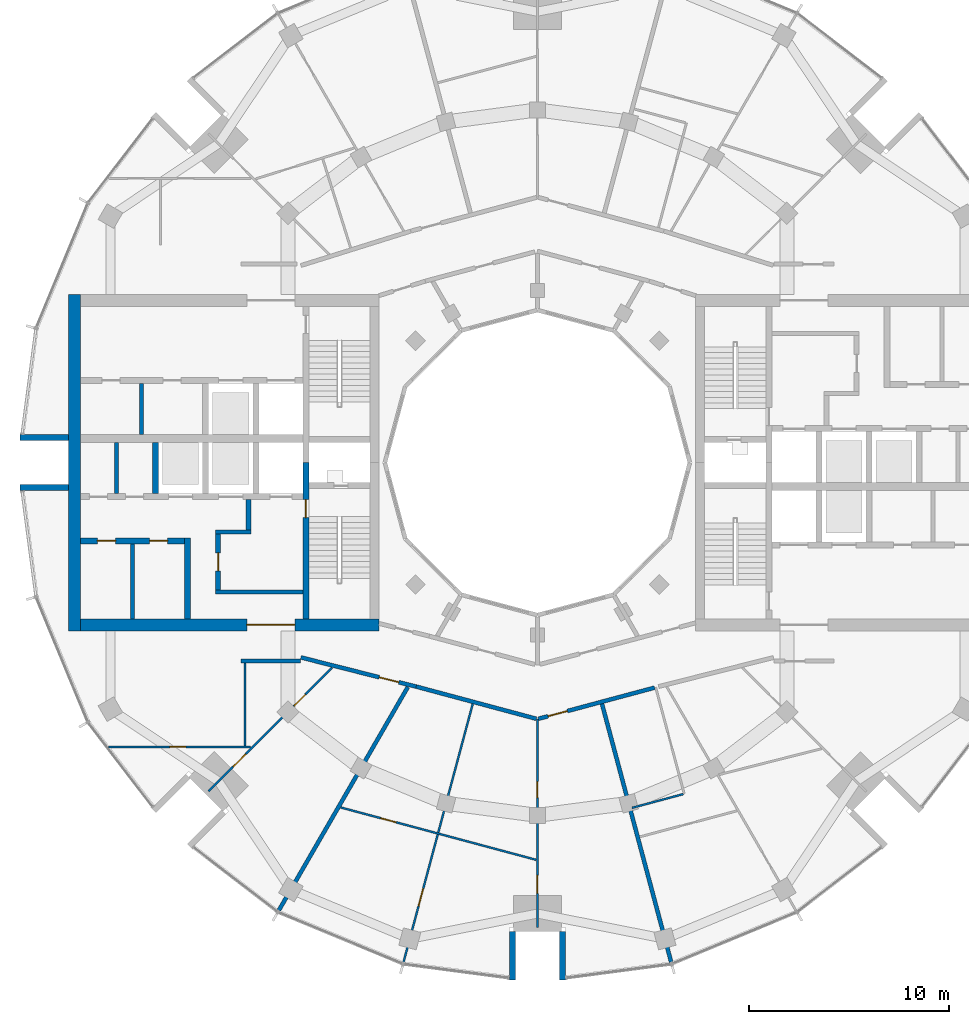
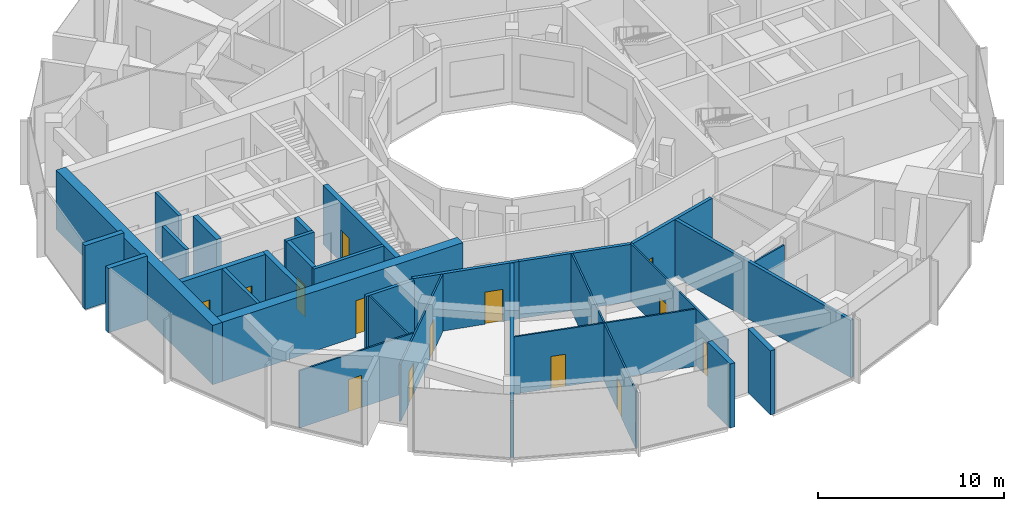
# One storey, part 8 of 15: 30 walls, 14 doors, 14 openings.
"""IFC4 building model written with IfcOpenShell, lengths in metres."""

from ifc_helpers import new_model, si_unit, direction, frame, frame_2d, origin, place, context, subcontext, project, spatial, rectangle, extrude, material, layer, layer_set, type_object, element, fill, save


model = new_model("IFC4")

# Units and contexts
model_context = context("Model", 3, precision=1e-05, world=origin(), true_north=direction((0.0, 1.0)))
body_context = subcontext(model_context, "Body", "Model", "MODEL_VIEW")
ifc_project = project(units=[si_unit("LENGTHUNIT", "METRE"), si_unit("AREAUNIT", "SQUARE_METRE"), si_unit("VOLUMEUNIT", "CUBIC_METRE"), si_unit("PLANEANGLEUNIT", "RADIAN"), si_unit("MASSUNIT", "GRAM", prefix="KILO")], contexts=[model_context])

# Site, building, storey
site_placement = place(None, origin())
site = spatial("IfcSite", under=ifc_project, at=site_placement, CompositionType="ELEMENT")
building_placement = place(site_placement, origin())
building = spatial("IfcBuilding", under=site, at=building_placement, Name="Torre Brocal", CompositionType="ELEMENT")
storey_placement = place(building_placement, frame((0.0, 0.0, 241.5)))
storey = spatial("IfcBuildingStorey", under=building, at=storey_placement, Name="L55", CompositionType="ELEMENT", Elevation=241.5)

# Walls
ifc_material_1 = material(Name="Masonry block", Category="masonry")
ifc_layer_1 = layer(ifc_material_1, 0.199951171875)
ifc_layer_set_1 = layer_set([ifc_layer_1], Name="Masonry block")
wall_type_1 = type_object("IfcWallType", Name="CORE PARTITION 200", PredefinedType="PARTITIONING", material=ifc_layer_set_1)
for number, where, z_axis, x_axis, name in (
    (1, (59.0, 76.0, 0.0), (0.0, 0.0, 1.0), (0.0, -1.0, 0.0), "Wall CP200"),
    (2, (60.25, 78.949951171875, 0.0), (0.0, 0.0, 1.0), (0.0, -1.0, 0.0), "Wall CP200"),
):
    element("IfcWall", number, at=place(storey_placement, frame(where, z_axis=z_axis, x_axis=x_axis)), inside=storey, type_object=wall_type_1, Name=name, PredefinedType="PARTITIONING", context=body_context, shape_type="SweptSolid", body=[
        extrude(rectangle(XDim=2.550048828125, YDim=0.199951171875, at=frame_2d((1.27490234375, 0.0))), origin(), (0.0, 0.0, 1.0), 3.8798828125),
    ])
wall_1_placement = place(storey_placement, frame((59.800048828125, 70.949951171875, 0.0), z_axis=(0.0, 0.0, 1.0), x_axis=(0.0, -1.0, 0.0)))
element("IfcWall", 3, at=wall_1_placement, inside=storey, type_object=wall_type_1, Name="Wall CP200", PredefinedType="PARTITIONING", context=body_context, shape_type="SweptSolid", body=[
    extrude(rectangle(XDim=3.75, YDim=0.199951171875, at=frame_2d((1.875, 0.0))), origin(), (0.0, 0.0, 1.0), 3.8798828125),
])
ifc_material_2 = material(Name="Concrete C60", Category="concrete")
ifc_layer_2 = layer(ifc_material_2, 0.199951171875)
ifc_layer_set_2 = layer_set([ifc_layer_2], Name="Concrete C60")
wall_type_2 = type_object("IfcWallType", Name="CORE WALL 200 C60", PredefinedType="SHEAR", material=ifc_layer_set_2)
wall_2_placement = place(storey_placement, frame((68.300048828125, 68.550048828125, 0.0), z_axis=(0.0, 0.0, 1.0), x_axis=(-1.0, 0.0, 0.0)))
element("IfcWall", 4, at=wall_2_placement, inside=storey, type_object=wall_type_2, Name="Wall CW200-60", PredefinedType="SHEAR", context=body_context, shape_type="SweptSolid", body=[
    extrude(rectangle(XDim=4.35009765625, YDim=0.199951171875, at=frame_2d((2.175048828125, 0.0))), origin(), (0.0, 0.0, 1.0), 3.8798828125),
])
wall_3_placement = place(storey_placement, frame((65.699951171875, 71.550048828125, 0.0), z_axis=(0.0, 0.0, 1.0), x_axis=(-1.0, 0.0, 0.0)))
element("IfcWall", 5, at=wall_3_placement, inside=storey, type_object=wall_type_2, Name="Wall CW200-60", PredefinedType="SHEAR", context=body_context, shape_type="SweptSolid", body=[
    extrude(rectangle(XDim=1.75, YDim=0.199951171875, at=frame_2d((0.875, 0.0))), origin(), (0.0, 0.0, 1.0), 3.8798828125),
])

# Wall, opening, door
ifc_material_3 = material(Name="Concrete C60", Category="concrete")
ifc_layer_3 = layer(ifc_material_3, 0.25)
ifc_layer_set_3 = layer_set([ifc_layer_3], Name="Concrete C60")
wall_type_3 = type_object("IfcWallType", Name="CORE WALL 250 C60", PredefinedType="SHEAR", material=ifc_layer_set_3)
wall_4_placement = place(storey_placement, frame((64.074951171875, 71.449951171875, 0.0), z_axis=(0.0, 0.0, 1.0), x_axis=(0.0, -1.0, 0.0)))
wall_4 = element("IfcWall", 6, at=wall_4_placement, inside=storey, type_object=wall_type_3, Name="Wall CW250-60", PredefinedType="SHEAR", context=body_context, shape_type="SweptSolid", body=[
    extrude(rectangle(XDim=2.800048828125, YDim=0.25, at=frame_2d((1.39990234375, 0.0))), origin(), (0.0, 0.0, 1.0), 3.8798828125),
])
opening_1_placement = place(wall_4_placement, frame((0.949951171875, 0.0, 0.0)))
opening_1 = element("IfcOpeningElement", 7, at=opening_1_placement, cuts=wall_4, Name="Opening W-D08", PredefinedType="OPENING", context=body_context, shape_type="SweptSolid", body=[
    extrude(rectangle(XDim=0.89990234375, YDim=2.10009765625, at=frame_2d((0.449951171875, 1.050048828125))), frame((0.0, 0.135009765625, 0.0), z_axis=(0.0, -1.0, 0.0), x_axis=(1.0, 0.0, 0.0)), (0.0, 0.0, 1.0), 0.27001953125),
])
ifc_material_4 = material(Name="Steel A653", Category="steel")
door_type_1 = type_object("IfcDoorType", Name="LOBBY DOOR FD120 900X2100", OperationType="SINGLE_SWING_RIGHT", PredefinedType="DOOR", material=ifc_material_4)
door_1_placement = place(opening_1_placement, origin())
door_1 = element("IfcDoor", 8, at=door_1_placement, inside=storey, type_object=door_type_1, Name="Door W-D08", OperationType="SINGLE_SWING_LEFT", OverallHeight=2.10009765625, OverallWidth=0.89990234375, PredefinedType="DOOR", context=body_context, shape_type="SweptSolid", body=[
    extrude(rectangle(XDim=0.89990234375, YDim=2.10009765625, at=frame_2d((0.449951171875, 1.050048828125))), frame((0.0, 0.02490234375, 0.0), z_axis=(0.0, -1.0, 0.0), x_axis=(1.0, 0.0, 0.0)), (0.0, 0.0, 1.0), 0.050048828125),
])
fill(opening_1, door_1)

# Wall
wall_5_placement = place(storey_placement, frame((65.574951171875, 73.14990234375, 0.0), z_axis=(0.0, 0.0, 1.0), x_axis=(0.0, -1.0, 0.0)))
element("IfcWall", 9, at=wall_5_placement, inside=storey, type_object=wall_type_3, Name="Wall CW250-60", PredefinedType="SHEAR", context=body_context, shape_type="SweptSolid", body=[
    extrude(rectangle(XDim=1.5, YDim=0.25, at=frame_2d((0.75, 0.0))), origin(), (0.0, 0.0, 1.0), 3.8798828125),
])

# Wall, opening, door
ifc_material_5 = material(Name="Concrete C60", Category="concrete")
ifc_layer_4 = layer(ifc_material_5, 0.300048828125)
ifc_layer_set_4 = layer_set([ifc_layer_4], Name="Concrete C60")
wall_type_4 = type_object("IfcWallType", Name="CORE WALL 300 C60", PredefinedType="SHEAR", material=ifc_layer_set_4)
wall_6_placement = place(storey_placement, frame((68.449951171875, 75.0, 0.0), z_axis=(0.0, 0.0, 1.0), x_axis=(0.0, -1.0, 0.0)))
wall_6 = element("IfcWall", 10, at=wall_6_placement, inside=storey, type_object=wall_type_4, Name="Wall CW300-60", PredefinedType="SHEAR", context=body_context, shape_type="SweptSolid", body=[
    extrude(rectangle(XDim=7.800048828125, YDim=0.300048828125, at=frame_2d((3.89990234375, 0.0))), origin(), (0.0, 0.0, 1.0), 3.8798828125),
])
opening_2_placement = place(wall_6_placement, frame((1.85009765625, 0.0, 0.0)))
opening_2 = element("IfcOpeningElement", 11, at=opening_2_placement, cuts=wall_6, Name="Opening W-D02", PredefinedType="OPENING", context=body_context, shape_type="SweptSolid", body=[
    extrude(rectangle(XDim=0.89990234375, YDim=2.10009765625, at=frame_2d((0.449951171875, 1.050048828125))), frame((0.0, 0.159912109375, 0.0), z_axis=(0.0, -1.0, 0.0), x_axis=(1.0, 0.0, 0.0)), (0.0, 0.0, 1.0), 0.320068359375),
])
ifc_material_6 = material(Name="Steel A653", Category="steel")
door_type_2 = type_object("IfcDoorType", Name="STAIR DOOR FD120 900X2100", OperationType="SINGLE_SWING_RIGHT", PredefinedType="DOOR", material=ifc_material_6)
door_2_placement = place(opening_2_placement, origin())
door_2 = element("IfcDoor", 12, at=door_2_placement, inside=storey, type_object=door_type_2, Name="Door W-D02", OperationType="SINGLE_SWING_LEFT", OverallHeight=2.10009765625, OverallWidth=0.89990234375, PredefinedType="DOOR", context=body_context, shape_type="SweptSolid", body=[
    extrude(rectangle(XDim=0.89990234375, YDim=2.10009765625, at=frame_2d((0.449951171875, 1.050048828125))), frame((0.0, 0.02490234375, 0.0), z_axis=(0.0, -1.0, 0.0), x_axis=(1.0, 0.0, 0.0)), (0.0, 0.0, 1.0), 0.050048828125),
])
fill(opening_2, door_2)

# Walls
wall_7_placement = place(storey_placement, frame((60.949951171875, 76.0, 0.0), z_axis=(0.0, 0.0, 1.0), x_axis=(0.0, -1.0, 0.0)))
element("IfcWall", 13, at=wall_7_placement, inside=storey, type_object=wall_type_4, Name="Wall CW300-60", PredefinedType="SHEAR", context=body_context, shape_type="SweptSolid", body=[
    extrude(rectangle(XDim=2.550048828125, YDim=0.300048828125, at=frame_2d((1.27490234375, 0.0))), origin(), (0.0, 0.0, 1.0), 3.8798828125),
])
wall_8_placement = place(storey_placement, frame((62.550048828125, 71.25, 0.0), z_axis=(0.0, 0.0, 1.0), x_axis=(0.0, -1.0, 0.0)))
element("IfcWall", 14, at=wall_8_placement, inside=storey, type_object=wall_type_4, Name="Wall CW300-60", PredefinedType="SHEAR", context=body_context, shape_type="SweptSolid", body=[
    extrude(rectangle(XDim=4.050048828125, YDim=0.300048828125, at=frame_2d((2.02490234375, 0.0))), origin(), (0.0, 0.0, 1.0), 3.8798828125),
])

# Wall, openings, doors
wall_9_placement = place(storey_placement, frame((62.39990234375, 71.10009765625, 0.0), z_axis=(0.0, 0.0, 1.0), x_axis=(-1.0, 0.0, 0.0)))
wall_9 = element("IfcWall", 15, at=wall_9_placement, inside=storey, type_object=wall_type_4, Name="Wall CW300-60", PredefinedType="SHEAR", context=body_context, shape_type="SweptSolid", body=[
    extrude(rectangle(XDim=5.199951171875, YDim=0.300048828125, at=frame_2d((2.60009765625, 0.0))), origin(), (0.0, 0.0, 1.0), 3.8798828125),
])
opening_3_placement = place(wall_9_placement, frame((0.85009765625, 0.0, 0.0)))
opening_3 = element("IfcOpeningElement", 16, at=opening_3_placement, cuts=wall_9, Name="Opening W-D09", PredefinedType="OPENING", context=body_context, shape_type="SweptSolid", body=[
    extrude(rectangle(XDim=0.89990234375, YDim=2.10009765625, at=frame_2d((0.449951171875, 1.050048828125))), frame((0.0, 0.159912109375, 0.0), z_axis=(0.0, -1.0, 0.0), x_axis=(1.0, 0.0, 0.0)), (0.0, 0.0, 1.0), 0.320068359375),
])
opening_4_placement = place(wall_9_placement, frame((3.449951171875, 0.0, 0.0)))
opening_4 = element("IfcOpeningElement", 17, at=opening_4_placement, cuts=wall_9, Name="Opening W-D10", PredefinedType="OPENING", context=body_context, shape_type="SweptSolid", body=[
    extrude(rectangle(XDim=0.89990234375, YDim=2.10009765625, at=frame_2d((0.449951171875, 1.050048828125))), frame((0.0, 0.159912109375, 0.0), z_axis=(0.0, -1.0, 0.0), x_axis=(1.0, 0.0, 0.0)), (0.0, 0.0, 1.0), 0.320068359375),
])
ifc_material_7 = material(Name="Steel A653", Category="steel")
door_type_3 = type_object("IfcDoorType", Name="ROOM DOOR FD30S 900X2100", OperationType="SINGLE_SWING_LEFT", PredefinedType="DOOR", material=ifc_material_7)
door_3_placement = place(opening_3_placement, origin())
door_3 = element("IfcDoor", 18, at=door_3_placement, inside=storey, type_object=door_type_3, Name="Door W-D09", OperationType="SINGLE_SWING_RIGHT", OverallHeight=2.10009765625, OverallWidth=0.89990234375, PredefinedType="DOOR", context=body_context, shape_type="SweptSolid", body=[
    extrude(rectangle(XDim=0.89990234375, YDim=2.10009765625, at=frame_2d((0.449951171875, 1.050048828125))), frame((0.0, 0.02490234375, 0.0), z_axis=(0.0, -1.0, 0.0), x_axis=(1.0, 0.0, 0.0)), (0.0, 0.0, 1.0), 0.050048828125),
])
fill(opening_3, door_3)
door_4_placement = place(opening_4_placement, origin())
door_4 = element("IfcDoor", 19, at=door_4_placement, inside=storey, type_object=door_type_3, Name="Door W-D10", OperationType="SINGLE_SWING_LEFT", OverallHeight=2.10009765625, OverallWidth=0.89990234375, PredefinedType="DOOR", context=body_context, shape_type="SweptSolid", body=[
    extrude(rectangle(XDim=0.89990234375, YDim=2.10009765625, at=frame_2d((0.449951171875, 1.050048828125))), frame((0.0, 0.02490234375, 0.0), z_axis=(0.0, -1.0, 0.0), x_axis=(1.0, 0.0, 0.0)), (0.0, 0.0, 1.0), 0.050048828125),
])
fill(opening_4, door_4)

# Wall, opening, door
ifc_material_8 = material(Name="Concrete C60", Category="concrete")
ifc_layer_5 = layer(ifc_material_8, 0.60009765625)
ifc_layer_set_5 = layer_set([ifc_layer_5], Name="Concrete C60")
wall_type_5 = type_object("IfcWallType", Name="CORE WALL 600 C60", PredefinedType="SHEAR", material=ifc_layer_set_5)
wall_10_placement = place(storey_placement, frame((72.10009765625, 66.89990234375, 0.0), z_axis=(0.0, 0.0, 1.0), x_axis=(-1.0, 0.0, 0.0)))
wall_10 = element("IfcWall", 20, at=wall_10_placement, inside=storey, type_object=wall_type_5, Name="Wall CW600-60", PredefinedType="SHEAR", context=body_context, shape_type="SweptSolid", body=[
    extrude(rectangle(XDim=14.900146484375, YDim=0.60009765625, at=frame_2d((7.4501953125, 0.0))), origin(), (0.0, 0.0, 1.0), 3.8798828125),
])
opening_5_placement = place(wall_10_placement, frame((4.199951171875, 0.0, 0.0)))
opening_5 = element("IfcOpeningElement", 21, at=opening_5_placement, cuts=wall_10, Name="Opening W-D34", PredefinedType="OPENING", context=body_context, shape_type="SweptSolid", body=[
    extrude(rectangle(XDim=2.39990234375, YDim=2.39990234375, at=frame_2d((1.199951171875, 1.199951171875))), frame((0.0, 0.31005859375, 0.0), z_axis=(0.0, -1.0, 0.0), x_axis=(1.0, 0.0, 0.0)), (0.0, 0.0, 1.0), 0.6201171875),
])
ifc_material_9 = material(Name="Steel A653", Category="steel")
door_type_4 = type_object("IfcDoorType", Name="DOUBLE FIRE DOOR FD90 2400X2400", OperationType="DOUBLE_DOOR_SINGLE_SWING", PredefinedType="DOOR", material=ifc_material_9)
door_5_placement = place(opening_5_placement, frame((2.39990234375, 0.0, 0.0), z_axis=(0.0, 0.0, 1.0), x_axis=(-1.0, 0.0, 0.0)))
door_5 = element("IfcDoor", 22, at=door_5_placement, inside=storey, type_object=door_type_4, Name="Door W-D34", OperationType="DOUBLE_DOOR_SINGLE_SWING", OverallHeight=2.39990234375, OverallWidth=2.39990234375, PredefinedType="DOOR", context=body_context, shape_type="SweptSolid", body=[
    extrude(rectangle(XDim=2.39990234375, YDim=2.39990234375, at=frame_2d((1.199951171875, 1.199951171875))), frame((0.0, 0.02490234375, 0.0), z_axis=(0.0, -1.0, 0.0), x_axis=(1.0, 0.0, 0.0)), (0.0, 0.0, 1.0), 0.050048828125),
])
fill(opening_5, door_5)

# Walls
wall_11_placement = place(storey_placement, frame((56.89990234375, 83.39990234375, 0.0), z_axis=(0.0, 0.0, 1.0), x_axis=(0.0, -1.0, 0.0)))
element("IfcWall", 23, at=wall_11_placement, inside=storey, type_object=wall_type_5, Name="Wall CW600-60", PredefinedType="SHEAR", context=body_context, shape_type="SweptSolid", body=[
    extrude(rectangle(XDim=16.7998046875, YDim=0.60009765625, at=frame_2d((8.39990234375, 0.0))), origin(), (0.0, 0.0, 1.0), 3.8798828125),
])
ifc_material_10 = material(Name="Concrete C60", Category="concrete")
ifc_layer_6 = layer(ifc_material_10, 0.300048828125)
ifc_layer_set_6 = layer_set([ifc_layer_6], Name="Concrete C60")
wall_type_6 = type_object("IfcWallType", Name="NOTCH RETURN WALL 300 C60", PredefinedType="NOTDEFINED", material=ifc_layer_set_6)
for number, where, z_axis, x_axis, name in (
    (24, (56.60009765625, 76.25, 0.0), (0.0, 0.0, 1.0), (-1.0, 0.0, 0.0), "NOTCH RETURN WALL"),
    (25, (56.60009765625, 73.75, 0.0), (0.0, 0.0, 1.0), (-1.0, 0.0, 0.0), "NOTCH RETURN WALL"),
    (26, (78.75, 51.60009765625, 0.0), (0.0, 0.0, 1.0), (0.0, -1.0, 0.0), "NOTCH RETURN WALL"),
    (27, (81.25, 51.60009765625, 0.0), (0.0, 0.0, 1.0), (0.0, -1.0, 0.0), "NOTCH RETURN WALL"),
):
    element("IfcWall", number, at=place(storey_placement, frame(where, z_axis=z_axis, x_axis=x_axis)), inside=storey, type_object=wall_type_6, Name=name, PredefinedType="NOTDEFINED", context=body_context, shape_type="SweptSolid", body=[
        extrude(rectangle(XDim=2.415771484375, YDim=0.300048828125, at=frame_2d((1.2080078125, 0.0))), origin(), (0.0, 0.0, 1.0), 4.199951171875),
    ])

# Wall, opening, door
ifc_material_11 = material(Name="Gypsum board", Category="Gypsum")
ifc_layer_7 = layer(ifc_material_11, 0.10009765625)
ifc_layer_set_7 = layer_set([ifc_layer_7], Name="Gypsum board")
wall_type_7 = type_object("IfcWallType", Name="PARTITION 100", PredefinedType="PARTITIONING", material=ifc_layer_set_7)
wall_12_placement = place(storey_placement, frame((58.60009765625, 60.81201171875, 0.0), z_axis=(0.0, 0.0, 1.0), x_axis=(1.0, 0.0, 0.0)))
wall_12 = element("IfcWall", 28, at=wall_12_placement, inside=storey, type_object=wall_type_7, Name="BATHROOM WALL", PredefinedType="PARTITIONING", context=body_context, shape_type="SweptSolid", body=[
    extrude(rectangle(XDim=7.091796875, YDim=0.10009765625, at=frame_2d((3.5458984375, 0.0))), origin(), (0.0, 0.0, 1.0), 3.75),
])
opening_6_placement = place(wall_12_placement, frame((3.06494140625, 0.0, 0.0)))
opening_6 = element("IfcOpeningElement", 29, at=opening_6_placement, cuts=wall_12, Name="Opening B03-D34", PredefinedType="OPENING", context=body_context, shape_type="SweptSolid", body=[
    extrude(rectangle(XDim=0.800048828125, YDim=2.10009765625, at=frame_2d((0.39990234375, 1.050048828125))), frame((0.0, 0.06005859375, 0.0), z_axis=(0.0, -1.0, 0.0), x_axis=(1.0, 0.0, 0.0)), (0.0, 0.0, 1.0), 0.1201171875),
])
ifc_material_12 = material(Name="Timber", Category="wood")
door_type_5 = type_object("IfcDoorType", Name="BATHROOM DOOR 800X2100", OperationType="SINGLE_SWING_LEFT", PredefinedType="DOOR", material=ifc_material_12)
door_6_placement = place(opening_6_placement, origin())
door_6 = element("IfcDoor", 30, at=door_6_placement, inside=storey, type_object=door_type_5, Name="B03-D34", OperationType="SINGLE_SWING_RIGHT", OverallHeight=2.10009765625, OverallWidth=0.800048828125, PredefinedType="DOOR", context=body_context, shape_type="SweptSolid", body=[
    extrude(rectangle(XDim=0.800048828125, YDim=2.10009765625, at=frame_2d((0.39990234375, 1.050048828125))), frame((0.0, 0.02490234375, 0.0), z_axis=(0.0, -1.0, 0.0), x_axis=(1.0, 0.0, 0.0)), (0.0, 0.0, 1.0), 0.050048828125),
])
fill(opening_6, door_6)

# Wall, openings, doors
wall_13_placement = place(storey_placement, frame((63.59130859375, 58.60009765625, 0.0), z_axis=(0.0, 0.0, 1.0), x_axis=(0.707274766636, 0.70693875582, 0.0)))
wall_13 = element("IfcWall", 31, at=wall_13_placement, inside=storey, type_object=wall_type_7, Name="BATHROOM WALL", PredefinedType="PARTITIONING", context=body_context, shape_type="SweptSolid", body=[
    extrude(rectangle(XDim=8.718994140625, YDim=0.10009765625, at=frame_2d((4.359375, 0.0))), origin(), (0.0, 0.0, 1.0), 3.75),
])
opening_7_placement = place(wall_13_placement, frame((1.728515625, 0.0, 0.0)))
opening_7 = element("IfcOpeningElement", 32, at=opening_7_placement, cuts=wall_13, Name="Opening B03-D33", PredefinedType="OPENING", context=body_context, shape_type="SweptSolid", body=[
    extrude(rectangle(XDim=0.89990234375, YDim=2.10009765625, at=frame_2d((0.449951171875, 1.050048828125))), frame((0.0, 0.06005859375, 0.0), z_axis=(0.0, -1.0, 0.0), x_axis=(1.0, 0.0, 0.0)), (0.0, 0.0, 1.0), 0.1201171875),
])
opening_8_placement = place(wall_13_placement, frame((6.03271484375, 0.0, 0.0)))
opening_8 = element("IfcOpeningElement", 33, at=opening_8_placement, cuts=wall_13, Name="Opening B03-D35", PredefinedType="OPENING", context=body_context, shape_type="SweptSolid", body=[
    extrude(rectangle(XDim=0.800048828125, YDim=2.10009765625, at=frame_2d((0.39990234375, 1.050048828125))), frame((0.0, 0.06005859375, 0.0), z_axis=(0.0, -1.0, 0.0), x_axis=(1.0, 0.0, 0.0)), (0.0, 0.0, 1.0), 0.1201171875),
])
door_7_placement = place(opening_8_placement, origin())
door_7 = element("IfcDoor", 34, at=door_7_placement, inside=storey, type_object=door_type_5, Name="B03-D35", OperationType="SINGLE_SWING_RIGHT", OverallHeight=2.10009765625, OverallWidth=0.800048828125, PredefinedType="DOOR", context=body_context, shape_type="SweptSolid", body=[
    extrude(rectangle(XDim=0.800048828125, YDim=2.10009765625, at=frame_2d((0.39990234375, 1.050048828125))), frame((0.0, 0.02490234375, 0.0), z_axis=(0.0, -1.0, 0.0), x_axis=(1.0, 0.0, 0.0)), (0.0, 0.0, 1.0), 0.050048828125),
])
fill(opening_8, door_7)
ifc_material_13 = material(Name="Timber", Category="wood")
door_type_6 = type_object("IfcDoorType", Name="ROOM DOOR 900X2100", OperationType="SINGLE_SWING_LEFT", PredefinedType="DOOR", material=ifc_material_13)
door_8_placement = place(opening_7_placement, origin())
door_8 = element("IfcDoor", 35, at=door_8_placement, inside=storey, type_object=door_type_6, Name="B03-D33", OperationType="SINGLE_SWING_LEFT", OverallHeight=2.10009765625, OverallWidth=0.89990234375, PredefinedType="DOOR", context=body_context, shape_type="SweptSolid", body=[
    extrude(rectangle(XDim=0.89990234375, YDim=2.10009765625, at=frame_2d((0.449951171875, 1.050048828125))), frame((0.0, 0.02490234375, 0.0), z_axis=(0.0, -1.0, 0.0), x_axis=(1.0, 0.0, 0.0)), (0.0, 0.0, 1.0), 0.050048828125),
])
fill(opening_7, door_8)

# Wall
wall_14_placement = place(storey_placement, frame((65.39990234375, 60.862060546875, 0.0), z_axis=(0.0, 0.0, 1.0), x_axis=(0.0, 1.0, 0.0)))
element("IfcWall", 36, at=wall_14_placement, inside=storey, type_object=wall_type_7, Name="BATHROOM WALL", PredefinedType="PARTITIONING", context=body_context, shape_type="SweptSolid", body=[
    extrude(rectangle(XDim=4.137939453125, YDim=0.10009765625, at=frame_2d((2.06884765625, 0.0))), origin(), (0.0, 0.0, 1.0), 3.75),
])

# Wall, opening, door
wall_15_placement = place(storey_placement, frame((70.1884765625, 57.79345703125, 0.0), z_axis=(0.0, 0.0, 1.0), x_axis=(0.965911138035, -0.258873856194, 0.0)))
wall_15 = element("IfcWall", 37, at=wall_15_placement, inside=storey, type_object=wall_type_7, Name="BATHROOM WALL", PredefinedType="PARTITIONING", context=body_context, shape_type="SweptSolid", body=[
    extrude(rectangle(XDim=10.09765625, YDim=0.10009765625, at=frame_2d((5.048828125, 0.0))), origin(), (0.0, 0.0, 1.0), 3.75),
])
opening_9_placement = place(wall_15_placement, frame((2.056884765625, 0.0, 0.0)))
opening_9 = element("IfcOpeningElement", 38, at=opening_9_placement, cuts=wall_15, Name="Opening B03-D31", PredefinedType="OPENING", context=body_context, shape_type="SweptSolid", body=[
    extrude(rectangle(XDim=0.800048828125, YDim=2.10009765625, at=frame_2d((0.39990234375, 1.050048828125))), frame((0.0, 0.06005859375, 0.0), z_axis=(0.0, -1.0, 0.0), x_axis=(1.0, 0.0, 0.0)), (0.0, 0.0, 1.0), 0.1201171875),
])
door_9_placement = place(opening_9_placement, origin())
door_9 = element("IfcDoor", 39, at=door_9_placement, inside=storey, type_object=door_type_5, Name="B03-D31", OperationType="SINGLE_SWING_LEFT", OverallHeight=2.10009765625, OverallWidth=0.800048828125, PredefinedType="DOOR", context=body_context, shape_type="SweptSolid", body=[
    extrude(rectangle(XDim=0.800048828125, YDim=2.10009765625, at=frame_2d((0.39990234375, 1.050048828125))), frame((0.0, 0.02490234375, 0.0), z_axis=(0.0, -1.0, 0.0), x_axis=(1.0, 0.0, 0.0)), (0.0, 0.0, 1.0), 0.050048828125),
])
fill(opening_9, door_9)

wall_16_placement = place(storey_placement, frame((73.322998046875, 50.080810546875, 0.0), z_axis=(0.0, 0.0, 1.0), x_axis=(0.258837030899, 0.96592100683, 0.0)))
wall_16 = element("IfcWall", 40, at=wall_16_placement, inside=storey, type_object=wall_type_7, Name="BATHROOM WALL", PredefinedType="PARTITIONING", context=body_context, shape_type="SweptSolid", body=[
    extrude(rectangle(XDim=13.338134765625, YDim=0.10009765625, at=frame_2d((6.6689453125, 0.0))), origin(), (0.0, 0.0, 1.0), 3.75),
])
opening_10_placement = place(wall_16_placement, frame((2.894287109375, 0.0, 0.0)))
opening_10 = element("IfcOpeningElement", 41, at=opening_10_placement, cuts=wall_16, Name="Opening B03-D30", PredefinedType="OPENING", context=body_context, shape_type="SweptSolid", body=[
    extrude(rectangle(XDim=0.89990234375, YDim=2.10009765625, at=frame_2d((0.449951171875, 1.050048828125))), frame((0.0, 0.06005859375, 0.0), z_axis=(0.0, -1.0, 0.0), x_axis=(1.0, 0.0, 0.0)), (0.0, 0.0, 1.0), 0.1201171875),
])
door_10_placement = place(opening_10_placement, frame((0.89990234375, 0.0, 0.0), z_axis=(0.0, 0.0, 1.0), x_axis=(-1.0, 0.0, 0.0)))
door_10 = element("IfcDoor", 42, at=door_10_placement, inside=storey, type_object=door_type_6, Name="B03-D30", OperationType="SINGLE_SWING_RIGHT", OverallHeight=2.10009765625, OverallWidth=0.89990234375, PredefinedType="DOOR", context=body_context, shape_type="SweptSolid", body=[
    extrude(rectangle(XDim=0.89990234375, YDim=2.10009765625, at=frame_2d((0.449951171875, 1.050048828125))), frame((0.0, 0.02490234375, 0.0), z_axis=(0.0, -1.0, 0.0), x_axis=(1.0, 0.0, 0.0)), (0.0, 0.0, 1.0), 0.050048828125),
])
fill(opening_10, door_10)

# Wall, openings, doors
wall_17_placement = place(storey_placement, frame((80.0, 51.800048828125, 0.0), z_axis=(0.0, 0.0, 1.0), x_axis=(0.0, 1.0, 0.0)))
wall_17 = element("IfcWall", 43, at=wall_17_placement, inside=storey, type_object=wall_type_7, Name="BATHROOM WALL", PredefinedType="PARTITIONING", context=body_context, shape_type="SweptSolid", body=[
    extrude(rectangle(XDim=10.404052734375, YDim=0.10009765625, at=frame_2d((5.2021484375, 0.0))), origin(), (0.0, 0.0, 1.0), 3.75),
])
opening_11_placement = place(wall_17_placement, frame((1.70703125, 0.0, 0.0)))
opening_11 = element("IfcOpeningElement", 44, at=opening_11_placement, cuts=wall_17, Name="Opening B03-D28", PredefinedType="OPENING", context=body_context, shape_type="SweptSolid", body=[
    extrude(rectangle(XDim=0.89990234375, YDim=2.10009765625, at=frame_2d((0.449951171875, 1.050048828125))), frame((0.0, 0.06005859375, 0.0), z_axis=(0.0, -1.0, 0.0), x_axis=(1.0, 0.0, 0.0)), (0.0, 0.0, 1.0), 0.1201171875),
])
opening_12_placement = place(wall_17_placement, frame((6.48388671875, 0.0, 0.0)))
opening_12 = element("IfcOpeningElement", 45, at=opening_12_placement, cuts=wall_17, Name="Opening B03-D29", PredefinedType="OPENING", context=body_context, shape_type="SweptSolid", body=[
    extrude(rectangle(XDim=0.800048828125, YDim=2.10009765625, at=frame_2d((0.39990234375, 1.050048828125))), frame((0.0, 0.06005859375, 0.0), z_axis=(0.0, -1.0, 0.0), x_axis=(1.0, 0.0, 0.0)), (0.0, 0.0, 1.0), 0.1201171875),
])
door_11_placement = place(opening_12_placement, origin())
door_11 = element("IfcDoor", 46, at=door_11_placement, inside=storey, type_object=door_type_5, Name="B03-D29", OperationType="SINGLE_SWING_LEFT", OverallHeight=2.10009765625, OverallWidth=0.800048828125, PredefinedType="DOOR", context=body_context, shape_type="SweptSolid", body=[
    extrude(rectangle(XDim=0.800048828125, YDim=2.10009765625, at=frame_2d((0.39990234375, 1.050048828125))), frame((0.0, 0.02490234375, 0.0), z_axis=(0.0, -1.0, 0.0), x_axis=(1.0, 0.0, 0.0)), (0.0, 0.0, 1.0), 0.050048828125),
])
fill(opening_12, door_11)
door_12_placement = place(opening_11_placement, origin())
door_12 = element("IfcDoor", 47, at=door_12_placement, inside=storey, type_object=door_type_6, Name="B03-D28", OperationType="SINGLE_SWING_RIGHT", OverallHeight=2.10009765625, OverallWidth=0.89990234375, PredefinedType="DOOR", context=body_context, shape_type="SweptSolid", body=[
    extrude(rectangle(XDim=0.89990234375, YDim=2.10009765625, at=frame_2d((0.449951171875, 1.050048828125))), frame((0.0, 0.02490234375, 0.0), z_axis=(0.0, -1.0, 0.0), x_axis=(1.0, 0.0, 0.0)), (0.0, 0.0, 1.0), 0.050048828125),
])
fill(opening_11, door_12)

# Walls
ifc_material_14 = material(Name="Gypsum board", Category="Gypsum")
ifc_layer_8 = layer(ifc_material_14, 0.10009765625)
ifc_layer_set_8 = layer_set([ifc_layer_8], Name="Gypsum board")
wall_type_8 = type_object("IfcWallType", Name="PARTITION 100 UNDER BEAM 820", PredefinedType="PARTITIONING", material=ifc_layer_set_8)
wall_18_placement = place(storey_placement, frame((84.719482421875, 57.77392578125, 0.0), z_axis=(0.0, 0.0, 1.0), x_axis=(0.965902408875, 0.258906424273, 0.0)))
element("IfcWall", 48, at=wall_18_placement, inside=storey, type_object=wall_type_8, Name="BATHROOM WALL", PredefinedType="PARTITIONING", context=body_context, shape_type="SweptSolid", body=[
    extrude(rectangle(XDim=2.650634765625, YDim=0.10009765625, at=frame_2d((1.3251953125, 0.0))), origin(), (0.0, 0.0, 1.0), 3.3798828125),
])
ifc_material_15 = material(Name="Gypsum board", Category="Gypsum")
ifc_layer_9 = layer(ifc_material_15, 0.199951171875)
ifc_layer_set_9 = layer_set([ifc_layer_9], Name="Gypsum board")
wall_type_9 = type_object("IfcWallType", Name="PARTITION 200 EI60", PredefinedType="PARTITIONING", material=ifc_layer_set_9)
wall_19_placement = place(storey_placement, frame((65.199951171875, 65.10009765625, 0.0), z_axis=(0.0, 0.0, 1.0), x_axis=(1.0, 0.0, 0.0)))
element("IfcWall", 49, at=wall_19_placement, inside=storey, type_object=wall_type_9, Name="CORRIDOR WALL", PredefinedType="PARTITIONING", context=body_context, shape_type="SweptSolid", body=[
    extrude(rectangle(XDim=2.97998046875, YDim=0.199951171875, at=frame_2d((1.489990234375, 0.0))), origin(), (0.0, 0.0, 1.0), 3.75),
])
wall_20_placement = place(storey_placement, frame((67.099853515625, 52.659423828125, 0.0), z_axis=(0.0, 0.0, 1.0), x_axis=(0.500128690501, 0.865951091539, 0.0)))
element("IfcWall", 50, at=wall_20_placement, inside=storey, type_object=wall_type_9, Name="BATHROOM WALL", PredefinedType="PARTITIONING", context=body_context, shape_type="SweptSolid", body=[
    extrude(rectangle(XDim=12.8662109375, YDim=0.199951171875, at=frame_2d((6.43310546875, 0.0))), origin(), (0.0, 0.0, 1.0), 3.75),
])

# Wall, opening, door
wall_21_placement = place(storey_placement, frame((68.199951171875, 65.280029296875, 0.0), z_axis=(0.0, 0.0, 1.0), x_axis=(0.969450596516, -0.245286650503, 0.0)))
wall_21 = element("IfcWall", 51, at=wall_21_placement, inside=storey, type_object=wall_type_9, Name="FLAT ENTRANCE WALL", PredefinedType="PARTITIONING", context=body_context, shape_type="SweptSolid", body=[
    extrude(rectangle(XDim=5.92822265625, YDim=0.199951171875, at=frame_2d((2.964111328125, 0.0))), origin(), (0.0, 0.0, 1.0), 3.75),
])
opening_13_placement = place(wall_21_placement, frame((4.038818359375, 0.0, 0.0)))
opening_13 = element("IfcOpeningElement", 52, at=opening_13_placement, cuts=wall_21, Name="Opening B03-D32", PredefinedType="OPENING", context=body_context, shape_type="SweptSolid", body=[
    extrude(rectangle(XDim=1.0, YDim=2.10009765625, at=frame_2d((0.5, 1.050048828125))), frame((0.0, 0.10986328125, 0.0), z_axis=(0.0, -1.0, 0.0), x_axis=(1.0, 0.0, 0.0)), (0.0, 0.0, 1.0), 0.219970703125),
])
ifc_material_16 = material(Name="Timber", Category="wood")
door_type_7 = type_object("IfcDoorType", Name="FLAT ENTRY DOOR FD30S 1000X2100", OperationType="SINGLE_SWING_RIGHT", PredefinedType="DOOR", material=ifc_material_16)
door_13_placement = place(opening_13_placement, frame((1.0, 0.0, 0.0), z_axis=(0.0, 0.0, 1.0), x_axis=(-1.0, 0.0, 0.0)))
door_13 = element("IfcDoor", 53, at=door_13_placement, inside=storey, type_object=door_type_7, Name="B03-D32", OperationType="SINGLE_SWING_LEFT", OverallHeight=2.10009765625, OverallWidth=1.0, PredefinedType="DOOR", context=body_context, shape_type="SweptSolid", body=[
    extrude(rectangle(XDim=1.0, YDim=2.10009765625, at=frame_2d((0.5, 1.050048828125))), frame((0.0, 0.02490234375, 0.0), z_axis=(0.0, -1.0, 0.0), x_axis=(1.0, 0.0, 0.0)), (0.0, 0.0, 1.0), 0.050048828125),
])
fill(opening_13, door_13)

# Wall
wall_22_placement = place(storey_placement, frame((73.947021484375, 63.825927734375, 0.0), z_axis=(0.0, 0.0, 1.0), x_axis=(0.965908253407, -0.258884619088, 0.0)))
element("IfcWall", 54, at=wall_22_placement, inside=storey, type_object=wall_type_9, Name="GUESTROOM CORRIDOR WALL", PredefinedType="PARTITIONING", context=body_context, shape_type="SweptSolid", body=[
    extrude(rectangle(XDim=6.216552734375, YDim=0.199951171875, at=frame_2d((3.1083984375, 0.0))), origin(), (0.0, 0.0, 1.0), 3.75),
])

# Wall, opening, door
wall_23_placement = place(storey_placement, frame((80.04833984375, 62.217041015625, 0.0), z_axis=(0.0, 0.0, 1.0), x_axis=(0.965941520544, 0.258760466242, 0.0)))
wall_23 = element("IfcWall", 55, at=wall_23_placement, inside=storey, type_object=wall_type_9, Name="FLAT ENTRANCE WALL", PredefinedType="PARTITIONING", context=body_context, shape_type="SweptSolid", body=[
    extrude(rectangle(XDim=6.00634765625, YDim=0.199951171875, at=frame_2d((3.003173828125, 0.0))), origin(), (0.0, 0.0, 1.0), 3.75),
])
opening_14_placement = place(wall_23_placement, frame((0.5, 0.0, 0.0)))
opening_14 = element("IfcOpeningElement", 56, at=opening_14_placement, cuts=wall_23, Name="Opening B03-D27", PredefinedType="OPENING", context=body_context, shape_type="SweptSolid", body=[
    extrude(rectangle(XDim=1.0, YDim=2.10009765625, at=frame_2d((0.5, 1.050048828125))), frame((0.0, 0.10986328125, 0.0), z_axis=(0.0, -1.0, 0.0), x_axis=(1.0, 0.0, 0.0)), (0.0, 0.0, 1.0), 0.219970703125),
])
door_14_placement = place(opening_14_placement, frame((1.0, 0.0, 0.0), z_axis=(0.0, 0.0, 1.0), x_axis=(-1.0, 0.0, 0.0)))
door_14 = element("IfcDoor", 57, at=door_14_placement, inside=storey, type_object=door_type_7, Name="B03-D27", OperationType="SINGLE_SWING_RIGHT", OverallHeight=2.10009765625, OverallWidth=1.0, PredefinedType="DOOR", context=body_context, shape_type="SweptSolid", body=[
    extrude(rectangle(XDim=1.0, YDim=2.10009765625, at=frame_2d((0.5, 1.050048828125))), frame((0.0, 0.02490234375, 0.0), z_axis=(0.0, -1.0, 0.0), x_axis=(1.0, 0.0, 0.0)), (0.0, 0.0, 1.0), 0.050048828125),
])
fill(opening_14, door_14)

# Wall
wall_24_placement = place(storey_placement, frame((83.22412109375, 62.964111328125, 0.0), z_axis=(0.0, 0.0, 1.0), x_axis=(0.258742489642, -0.965946336012, 0.0)))
element("IfcWall", 58, at=wall_24_placement, inside=storey, type_object=wall_type_9, Name="BATHROOM WALL", PredefinedType="PARTITIONING", context=body_context, shape_type="SweptSolid", body=[
    extrude(rectangle(XDim=13.338134765625, YDim=0.199951171875, at=frame_2d((6.6689453125, 0.0))), origin(), (0.0, 0.0, 1.0), 3.75),
])

save(model, "model.ifc")
